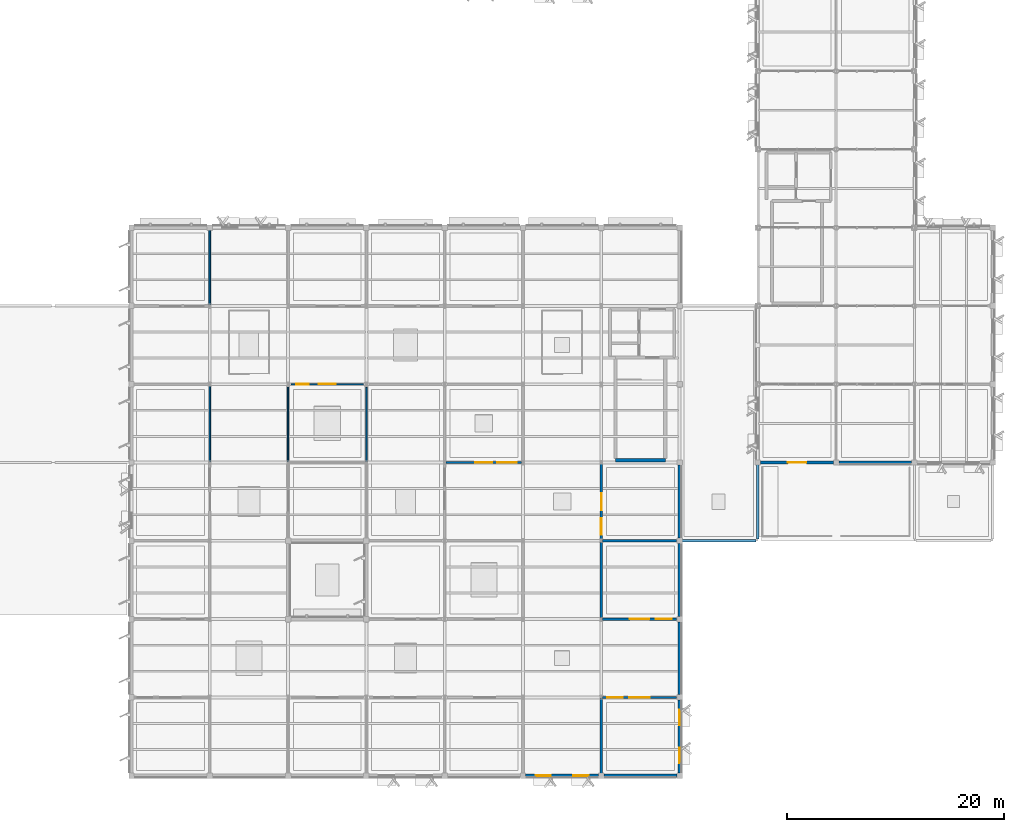
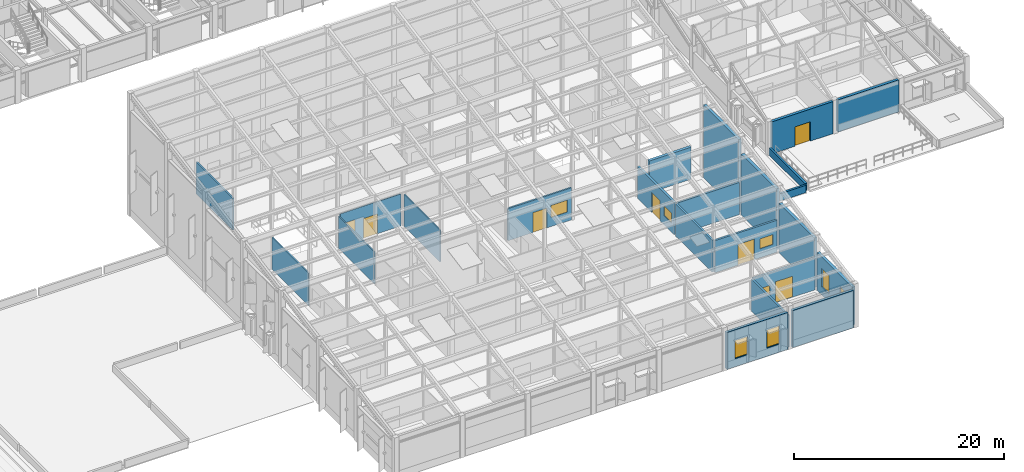
# One storey, part 34 of 82: 23 walls, 9 windows, 6 doors, 15 openings.
"""IFC4 building model written with IfcOpenShell, lengths in metres."""

from ifc_helpers import new_model, si_unit, direction, frame, frame_2d, origin, place, context, subcontext, project, spatial, rectangle, extrude, material, layer, layer_set, type_object, element, fill, save


model = new_model("IFC4")

# Units and contexts
model_context = context("Model", 3, precision=1e-05, world=origin(), true_north=direction((0.0, 1.0)))
body_context = subcontext(model_context, "Body", "Model", "MODEL_VIEW")
ifc_project = project(units=[si_unit("LENGTHUNIT", "METRE"), si_unit("AREAUNIT", "SQUARE_METRE"), si_unit("VOLUMEUNIT", "CUBIC_METRE"), si_unit("PLANEANGLEUNIT", "RADIAN"), si_unit("MASSUNIT", "GRAM", prefix="KILO")], contexts=[model_context])

# Site, building, storey
site_placement = place(None, origin())
site = spatial("IfcSite", under=ifc_project, at=site_placement, CompositionType="ELEMENT")
building_placement = place(site_placement, origin())
building = spatial("IfcBuilding", under=site, at=building_placement, Name="Sillqori Civic Hall", CompositionType="ELEMENT")
storey_placement = place(building_placement, frame((0.0, 0.0, 14.10009765625)))
storey = spatial("IfcBuildingStorey", under=building, at=storey_placement, Name="L04", CompositionType="ELEMENT", Elevation=14.10009765625)

# Wall
ifc_material_1 = material(Name="Concrete C35/45 (H35)", Category="concrete")
ifc_layer_1 = layer(ifc_material_1, 0.300048828125)
ifc_layer_set_1 = layer_set([ifc_layer_1], Name="Concrete C35/45 (H35)")
wall_type_1 = type_object("IfcWallType", Name="CW-SHR-300", PredefinedType="SHEAR", material=ifc_layer_set_1)
wall_1_placement = place(storey_placement, frame((109.31005859375, 36.199951171875, 0.0), z_axis=(0.0, 0.0, 1.0), x_axis=(1.0, 0.0, 0.0)))
element("IfcWall", 1, at=wall_1_placement, inside=storey, type_object=wall_type_1, Name="L04 C3 Stair south shear wall", PredefinedType="SHEAR", context=body_context, shape_type="SweptSolid", body=[
    extrude(rectangle(XDim=4.579833984375, YDim=0.300048828125, at=frame_2d((2.2900390625, 0.0))), origin(), (0.0, 0.0, 1.0), 3.719970703125),
])

# Wall, opening, door
ifc_material_2 = material(Name="Precast concrete C40/50 (H40)", Category="concrete")
ifc_layer_2 = layer(ifc_material_2, 0.300048828125)
ifc_layer_set_2 = layer_set([ifc_layer_2], Name="Precast concrete C40/50 (H40)")
wall_type_2 = type_object("IfcWallType", Name="EW-LIME-300", PredefinedType="SOLIDWALL", material=ifc_layer_set_2)
wall_2_placement = place(storey_placement, frame((129.35009765625, 36.0, 0.0), z_axis=(0.0, 0.0, 1.0), x_axis=(-1.0, 0.0, 0.0)))
wall_2 = element("IfcWall", 2, at=wall_2_placement, inside=storey, type_object=wall_type_2, Name="L04 V3 exterior wall L04-17-05-S", PredefinedType="SOLIDWALL", context=body_context, shape_type="SweptSolid", body=[
    extrude(rectangle(XDim=6.7001953125, YDim=0.300048828125, at=frame_2d((3.35009765625, 0.0))), origin(), (0.0, 0.0, 1.0), 3.719970703125),
])
opening_1_placement = place(wall_2_placement, frame((2.5, 0.0, 0.0)))
opening_1 = element("IfcOpeningElement", 3, at=opening_1_placement, cuts=wall_2, Name="Opening ED-07", PredefinedType="OPENING", context=body_context, shape_type="SweptSolid", body=[
    extrude(rectangle(XDim=1.699951171875, YDim=2.25, at=frame_2d((0.85009765625, 1.125))), frame((0.0, 0.159912109375, 0.0), z_axis=(0.0, -1.0, 0.0), x_axis=(1.0, 0.0, 0.0)), (0.0, 0.0, 1.0), 0.320068359375),
])
ifc_material_3 = material(Name="Thermally Broken Anodized Aluminium and Laminated Glass", Category="aluminium")
door_type_1 = type_object("IfcDoorType", Name="EDR-TERR-170X225", OperationType="NOTDEFINED", PredefinedType="DOOR", material=ifc_material_3)
door_1_placement = place(opening_1_placement, origin())
door_1 = element("IfcDoor", 4, at=door_1_placement, inside=storey, type_object=door_type_1, Name="Archive Clerestory Terrace Access Door", OperationType="DOUBLE_DOOR_SINGLE_SWING", OverallHeight=2.25, OverallWidth=1.699951171875, PredefinedType="DOOR", context=body_context, shape_type="SweptSolid", body=[
    extrude(rectangle(XDim=1.699951171875, YDim=2.25, at=frame_2d((0.85009765625, 1.125))), frame((0.0, 0.02490234375, 0.0), z_axis=(0.0, -1.0, 0.0), x_axis=(1.0, 0.0, 0.0)), (0.0, 0.0, 1.0), 0.050048828125),
])
fill(opening_1, door_1)

# Wall
wall_3_placement = place(storey_placement, frame((136.550048828125, 36.0, 0.0), z_axis=(0.0, 0.0, 1.0), x_axis=(-1.0, 0.0, 0.0)))
element("IfcWall", 5, at=wall_3_placement, inside=storey, type_object=wall_type_2, Name="L04 V3 exterior wall L04-18-05-S", PredefinedType="SOLIDWALL", context=body_context, shape_type="SweptSolid", body=[
    extrude(rectangle(XDim=6.699951171875, YDim=0.300048828125, at=frame_2d((3.35009765625, 0.0))), origin(), (0.0, 0.0, 1.0), 3.719970703125),
])

# Wall, openings, windows
ifc_layer_3 = layer(ifc_material_2, 0.320068359375)
ifc_layer_set_3 = layer_set([ifc_layer_3], Name="Precast concrete C40/50 (H40)")
wall_type_3 = type_object("IfcWallType", Name="EW-LIME-320", PredefinedType="SOLIDWALL", material=ifc_layer_set_3)
wall_4_placement = place(storey_placement, frame((107.75, 7.199951171875, 0.0), z_axis=(0.0, 0.0, 1.0), x_axis=(-1.0, 0.0, 0.0)))
wall_4 = element("IfcWall", 6, at=wall_4_placement, inside=storey, type_object=wall_type_3, Name="L04 V2 exterior wall L04-14-01-S", PredefinedType="SOLIDWALL", context=body_context, shape_type="SweptSolid", body=[
    extrude(rectangle(XDim=6.699951171875, YDim=0.320068359375, at=frame_2d((3.35009765625, 0.0))), origin(), (0.0, 0.0, 1.0), 4.2919921875),
])
opening_2_placement = place(wall_4_placement, frame((0.907958984375, 0.0, 0.949951171875)))
opening_2 = element("IfcOpeningElement", 7, at=opening_2_placement, cuts=wall_4, Name="Opening W-03", PredefinedType="OPENING", context=body_context, shape_type="SweptSolid", body=[
    extrude(rectangle(XDim=1.39990234375, YDim=2.10009765625, at=frame_2d((0.699951171875, 1.050048828125))), frame((0.0, 0.169921875, 0.0), z_axis=(0.0, -1.0, 0.0), x_axis=(1.0, 0.0, 0.0)), (0.0, 0.0, 1.0), 0.340087890625),
])
opening_3_placement = place(wall_4_placement, frame((4.39208984375, 0.0, 0.949951171875)))
opening_3 = element("IfcOpeningElement", 8, at=opening_3_placement, cuts=wall_4, Name="Opening W-03", PredefinedType="OPENING", context=body_context, shape_type="SweptSolid", body=[
    extrude(rectangle(XDim=1.39990234375, YDim=2.10009765625, at=frame_2d((0.699951171875, 1.050048828125))), frame((0.0, 0.169921875, 0.0), z_axis=(0.0, -1.0, 0.0), x_axis=(1.0, 0.0, 0.0)), (0.0, 0.0, 1.0), 0.340087890625),
])
ifc_material_4 = material(Name="Thermally Broken Aluminium Low-E Window", Category="aluminium")
window_type_1 = type_object("IfcWindowType", Name="WIN-V2-140X210", PartitioningType="SINGLE_PANEL", PredefinedType="WINDOW", material=ifc_material_4)
window_1_placement = place(opening_2_placement, origin())
window_1 = element("IfcWindow", 9, at=window_1_placement, inside=storey, type_object=window_type_1, Name="L04 V2 window L04-14-01-S.1", OverallHeight=2.10009765625, OverallWidth=1.39990234375, PartitioningType="SINGLE_PANEL", PredefinedType="WINDOW", context=body_context, shape_type="SweptSolid", body=[
    extrude(rectangle(XDim=1.39990234375, YDim=2.10009765625, at=frame_2d((0.699951171875, 1.050048828125))), frame((0.0, 0.030029296875, 0.0), z_axis=(0.0, -1.0, 0.0), x_axis=(1.0, 0.0, 0.0)), (0.0, 0.0, 1.0), 0.06005859375),
])
fill(opening_2, window_1)
window_2_placement = place(opening_3_placement, origin())
window_2 = element("IfcWindow", 10, at=window_2_placement, inside=storey, type_object=window_type_1, Name="L04 V2 window L04-14-01-S.2", OverallHeight=2.10009765625, OverallWidth=1.39990234375, PartitioningType="SINGLE_PANEL", PredefinedType="WINDOW", context=body_context, shape_type="SweptSolid", body=[
    extrude(rectangle(XDim=1.39990234375, YDim=2.10009765625, at=frame_2d((0.699951171875, 1.050048828125))), frame((0.0, 0.030029296875, 0.0), z_axis=(0.0, -1.0, 0.0), x_axis=(1.0, 0.0, 0.0)), (0.0, 0.0, 1.0), 0.06005859375),
])
fill(opening_3, window_2)

# Wall
wall_5_placement = place(storey_placement, frame((114.949951171875, 7.199951171875, 0.0), z_axis=(0.0, 0.0, 1.0), x_axis=(-1.0, 0.0, 0.0)))
element("IfcWall", 11, at=wall_5_placement, inside=storey, type_object=wall_type_3, Name="L04 V2 exterior wall L04-15-01-S", PredefinedType="SOLIDWALL", context=body_context, shape_type="SweptSolid", body=[
    extrude(rectangle(XDim=6.699951171875, YDim=0.320068359375, at=frame_2d((3.35009765625, 0.0))), origin(), (0.0, 0.0, 1.0), 4.320556640625),
])

# Wall, openings, windows
wall_6_placement = place(storey_placement, frame((115.199951171875, 14.14990234375, 0.0), z_axis=(0.0, 0.0, 1.0), x_axis=(0.0, -1.0, 0.0)))
wall_6 = element("IfcWall", 12, at=wall_6_placement, inside=storey, type_object=wall_type_3, Name="L04 V2 exterior wall L04-15-01-E", PredefinedType="SOLIDWALL", context=body_context, shape_type="SweptSolid", body=[
    extrude(rectangle(XDim=6.699951171875, YDim=0.320068359375, at=frame_2d((3.35009765625, 0.0))), origin(), (0.0, 0.0, 1.0), 4.393310546875),
])
opening_4_placement = place(wall_6_placement, frame((0.907958984375, 0.0, 0.949951171875)))
opening_4 = element("IfcOpeningElement", 13, at=opening_4_placement, cuts=wall_6, Name="Opening W-03", PredefinedType="OPENING", context=body_context, shape_type="SweptSolid", body=[
    extrude(rectangle(XDim=1.39990234375, YDim=2.10009765625, at=frame_2d((0.699951171875, 1.050048828125))), frame((0.0, 0.169921875, 0.0), z_axis=(0.0, -1.0, 0.0), x_axis=(1.0, 0.0, 0.0)), (0.0, 0.0, 1.0), 0.340087890625),
])
opening_5_placement = place(wall_6_placement, frame((4.39208984375, 0.0, 0.949951171875)))
opening_5 = element("IfcOpeningElement", 14, at=opening_5_placement, cuts=wall_6, Name="Opening W-03", PredefinedType="OPENING", context=body_context, shape_type="SweptSolid", body=[
    extrude(rectangle(XDim=1.39990234375, YDim=2.10009765625, at=frame_2d((0.699951171875, 1.050048828125))), frame((0.0, 0.169921875, 0.0), z_axis=(0.0, -1.0, 0.0), x_axis=(1.0, 0.0, 0.0)), (0.0, 0.0, 1.0), 0.340087890625),
])
window_3_placement = place(opening_4_placement, origin())
window_3 = element("IfcWindow", 15, at=window_3_placement, inside=storey, type_object=window_type_1, Name="L04 V2 window L04-15-01-E.1", OverallHeight=2.10009765625, OverallWidth=1.39990234375, PartitioningType="SINGLE_PANEL", PredefinedType="WINDOW", context=body_context, shape_type="SweptSolid", body=[
    extrude(rectangle(XDim=1.39990234375, YDim=2.10009765625, at=frame_2d((0.699951171875, 1.050048828125))), frame((0.0, 0.030029296875, 0.0), z_axis=(0.0, -1.0, 0.0), x_axis=(1.0, 0.0, 0.0)), (0.0, 0.0, 1.0), 0.06005859375),
])
fill(opening_4, window_3)
window_4_placement = place(opening_5_placement, origin())
window_4 = element("IfcWindow", 16, at=window_4_placement, inside=storey, type_object=window_type_1, Name="L04 V2 window L04-15-01-E.2", OverallHeight=2.10009765625, OverallWidth=1.39990234375, PartitioningType="SINGLE_PANEL", PredefinedType="WINDOW", context=body_context, shape_type="SweptSolid", body=[
    extrude(rectangle(XDim=1.39990234375, YDim=2.10009765625, at=frame_2d((0.699951171875, 1.050048828125))), frame((0.0, 0.030029296875, 0.0), z_axis=(0.0, -1.0, 0.0), x_axis=(1.0, 0.0, 0.0)), (0.0, 0.0, 1.0), 0.06005859375),
])
fill(opening_5, window_4)

# Walls
wall_7_placement = place(storey_placement, frame((115.199951171875, 21.35009765625, 0.0), z_axis=(0.0, 0.0, 1.0), x_axis=(0.0, -1.0, 0.0)))
element("IfcWall", 17, at=wall_7_placement, inside=storey, type_object=wall_type_3, Name="L04 V2 exterior wall L04-15-02-E", PredefinedType="SOLIDWALL", context=body_context, shape_type="SweptSolid", body=[
    extrude(rectangle(XDim=6.7001953125, YDim=0.320068359375, at=frame_2d((3.35009765625, 0.0))), origin(), (0.0, 0.0, 1.0), 5.736083984375),
])
wall_8_placement = place(storey_placement, frame((115.199951171875, 28.550048828125, 0.0), z_axis=(0.0, 0.0, 1.0), x_axis=(0.0, -1.0, 0.0)))
element("IfcWall", 18, at=wall_8_placement, inside=storey, type_object=wall_type_3, Name="L04 V2 exterior wall L04-15-03-E", PredefinedType="SOLIDWALL", context=body_context, shape_type="SweptSolid", body=[
    extrude(rectangle(XDim=6.699951171875, YDim=0.320068359375, at=frame_2d((3.35009765625, 0.0))), origin(), (0.0, 0.0, 1.0), 7.0791015625),
])
wall_9_placement = place(storey_placement, frame((115.199951171875, 35.75, 0.0), z_axis=(0.0, 0.0, 1.0), x_axis=(0.0, -1.0, 0.0)))
element("IfcWall", 19, at=wall_9_placement, inside=storey, type_object=wall_type_3, Name="L04 V2 exterior wall L04-15-04-E", PredefinedType="SOLIDWALL", context=body_context, shape_type="SweptSolid", body=[
    extrude(rectangle(XDim=6.699951171875, YDim=0.320068359375, at=frame_2d((3.35009765625, 0.0))), origin(), (0.0, 0.0, 1.0), 8.421875),
])

# Wall, openings, door, window
ifc_material_5 = material(Name="Acoustic Steel-Stud Partition 120", Category="steel")
ifc_layer_4 = layer(ifc_material_5, 0.1201171875)
ifc_layer_set_4 = layer_set([ifc_layer_4], Name="Acoustic Steel-Stud Partition 120")
wall_type_4 = type_object("IfcWallType", Name="PT-GYP-120", PredefinedType="PARTITIONING", material=ifc_layer_set_4)
wall_10_placement = place(storey_placement, frame((79.47998046875, 43.199951171875, 0.0), z_axis=(0.0, 0.0, 1.0), x_axis=(1.0, 0.0, 0.0)))
wall_10 = element("IfcWall", 20, at=wall_10_placement, inside=storey, type_object=wall_type_4, Name="Citizen Innovation and Open-Data Studio L04-07 partition N1", PredefinedType="PARTITIONING", context=body_context, shape_type="SweptSolid", body=[
    extrude(rectangle(XDim=6.64013671875, YDim=0.1201171875, at=frame_2d((3.320068359375, 0.0))), origin(), (0.0, 0.0, 1.0), 3.719970703125),
])
opening_6_placement = place(wall_10_placement, frame((2.544921875, 0.0, 0.0)))
opening_6 = element("IfcOpeningElement", 21, at=opening_6_placement, cuts=wall_10, Name="Opening ID-08", PredefinedType="OPENING", context=body_context, shape_type="SweptSolid", body=[
    extrude(rectangle(XDim=1.550048828125, YDim=2.300048828125, at=frame_2d((0.77490234375, 1.14990234375))), frame((0.0, 0.070068359375, 0.0), z_axis=(0.0, -1.0, 0.0), x_axis=(1.0, 0.0, 0.0)), (0.0, 0.0, 1.0), 0.14013671875),
])
opening_7_placement = place(wall_10_placement, frame((0.449951171875, 0.0, 1.050048828125)))
opening_7 = element("IfcOpeningElement", 22, at=opening_7_placement, cuts=wall_10, Name="Opening IW-46", PredefinedType="OPENING", context=body_context, shape_type="SweptSolid", body=[
    extrude(rectangle(XDim=1.179931640625, YDim=1.43994140625, at=frame_2d((0.58984375, 0.719970703125))), frame((0.0, 0.070068359375, 0.0), z_axis=(0.0, -1.0, 0.0), x_axis=(1.0, 0.0, 0.0)), (0.0, 0.0, 1.0), 0.14013671875),
])
ifc_material_6 = material(Name="Community Room Double Leaf Door", Category="timber")
door_type_2 = type_object("IfcDoorType", Name="IDR-CMY-155X230", OperationType="NOTDEFINED", PredefinedType="DOOR", material=ifc_material_6)
door_2_placement = place(opening_6_placement, origin())
door_2 = element("IfcDoor", 23, at=door_2_placement, inside=storey, type_object=door_type_2, Name="Citizen Innovation and Open-Data Studio L04-07 entrance door", OperationType="DOUBLE_DOOR_SINGLE_SWING", OverallHeight=2.300048828125, OverallWidth=1.550048828125, PredefinedType="DOOR", context=body_context, shape_type="SweptSolid", body=[
    extrude(rectangle(XDim=1.550048828125, YDim=2.300048828125, at=frame_2d((0.77490234375, 1.14990234375))), frame((0.0, 0.02490234375, 0.0), z_axis=(0.0, -1.0, 0.0), x_axis=(1.0, 0.0, 0.0)), (0.0, 0.0, 1.0), 0.050048828125),
])
fill(opening_6, door_2)
ifc_material_7 = material(Name="Acoustic Laminated Interior Clerestory Glazing", Category="glass")
window_type_2 = type_object("IfcWindowType", Name="IWN-GAL-118X144", PartitioningType="SINGLE_PANEL", PredefinedType="WINDOW", material=ifc_material_7)
window_5_placement = place(opening_7_placement, origin())
window_5 = element("IfcWindow", 24, at=window_5_placement, inside=storey, type_object=window_type_2, Name="Citizen Innovation and Open-Data Studio L04-07 borrowed-light screen", OverallHeight=1.43994140625, OverallWidth=1.179931640625, PartitioningType="SINGLE_PANEL", PredefinedType="WINDOW", context=body_context, shape_type="SweptSolid", body=[
    extrude(rectangle(XDim=1.179931640625, YDim=1.43994140625, at=frame_2d((0.58984375, 0.719970703125))), frame((0.0, 0.030029296875, 0.0), z_axis=(0.0, -1.0, 0.0), x_axis=(1.0, 0.0, 0.0)), (0.0, 0.0, 1.0), 0.06005859375),
])
fill(opening_7, window_5)

# Walls
for number, where, z_axis, x_axis, name in (
    (25, (79.199951171875, 36.1201171875, 0.0), (0.0, 0.0, 1.0), (0.0, 1.0, 0.0), "Citizen Innovation and Open-Data Studio L04-07 partition W3"),
    (26, (86.39990234375, 42.919921875, 0.0), (0.0, 0.0, 1.0), (0.0, -1.0, 0.0), "Citizen Innovation and Open-Data Studio L04-07 partition E4"),
):
    element("IfcWall", number, at=place(storey_placement, frame(where, z_axis=z_axis, x_axis=x_axis)), inside=storey, type_object=wall_type_4, Name=name, PredefinedType="PARTITIONING", context=body_context, shape_type="SweptSolid", body=[
        extrude(rectangle(XDim=6.7998046875, YDim=0.1201171875, at=frame_2d((3.39990234375, 0.0))), origin(), (0.0, 0.0, 1.0), 3.719970703125),
    ])

# Wall, openings, door, window
ifc_material_8 = material(Name="Concrete C25/30 (H25)", Category="concrete")
ifc_layer_5 = layer(ifc_material_8, 0.172119140625)
ifc_layer_set_5 = layer_set([ifc_layer_5], Name="Concrete C25/30 (H25)")
wall_type_5 = type_object("IfcWallType", Name="PT-MAS-172", PredefinedType="PARTITIONING", material=ifc_layer_set_5)
wall_11_placement = place(storey_placement, frame((100.679931640625, 36.0, 0.0), z_axis=(0.0, 0.0, 1.0), x_axis=(-1.0, 0.0, 0.0)))
wall_11 = element("IfcWall", 27, at=wall_11_placement, inside=storey, type_object=wall_type_5, Name="Citizen Innovation and Open-Data Studio L04-15 partition S1", PredefinedType="PARTITIONING", context=body_context, shape_type="SweptSolid", body=[
    extrude(rectangle(XDim=6.9599609375, YDim=0.172119140625, at=frame_2d((3.47998046875, 0.0))), origin(), (0.0, 0.0, 1.0), 3.719970703125),
])
opening_8_placement = place(wall_11_placement, frame((2.705078125, 0.0, 0.0)))
opening_8 = element("IfcOpeningElement", 28, at=opening_8_placement, cuts=wall_11, Name="Opening ID-08", PredefinedType="OPENING", context=body_context, shape_type="SweptSolid", body=[
    extrude(rectangle(XDim=1.550048828125, YDim=2.300048828125, at=frame_2d((0.77490234375, 1.14990234375))), frame((0.0, 0.095947265625, 0.0), z_axis=(0.0, -1.0, 0.0), x_axis=(1.0, 0.0, 0.0)), (0.0, 0.0, 1.0), 0.192138671875),
])
opening_9_placement = place(wall_11_placement, frame((0.449951171875, 0.0, 1.050048828125)))
opening_9 = element("IfcOpeningElement", 29, at=opening_9_placement, cuts=wall_11, Name="Opening IW-04", PredefinedType="OPENING", context=body_context, shape_type="SweptSolid", body=[
    extrude(rectangle(XDim=1.800048828125, YDim=1.39990234375, at=frame_2d((0.89990234375, 0.699951171875))), frame((0.0, 0.095947265625, 0.0), z_axis=(0.0, -1.0, 0.0), x_axis=(1.0, 0.0, 0.0)), (0.0, 0.0, 1.0), 0.192138671875),
])
door_3_placement = place(opening_8_placement, origin())
door_3 = element("IfcDoor", 30, at=door_3_placement, inside=storey, type_object=door_type_2, Name="Citizen Innovation and Open-Data Studio L04-15 entrance door", OperationType="DOUBLE_DOOR_SINGLE_SWING", OverallHeight=2.300048828125, OverallWidth=1.550048828125, PredefinedType="DOOR", context=body_context, shape_type="SweptSolid", body=[
    extrude(rectangle(XDim=1.550048828125, YDim=2.300048828125, at=frame_2d((0.77490234375, 1.14990234375))), frame((0.0, 0.02490234375, 0.0), z_axis=(0.0, -1.0, 0.0), x_axis=(1.0, 0.0, 0.0)), (0.0, 0.0, 1.0), 0.050048828125),
])
fill(opening_8, door_3)
window_type_3 = type_object("IfcWindowType", Name="IWN-LIB-180X140", PartitioningType="SINGLE_PANEL", PredefinedType="WINDOW", material=ifc_material_7)
window_6_placement = place(opening_9_placement, origin())
window_6 = element("IfcWindow", 31, at=window_6_placement, inside=storey, type_object=window_type_3, Name="Citizen Innovation and Open-Data Studio L04-15 borrowed-light screen", OverallHeight=1.39990234375, OverallWidth=1.800048828125, PartitioningType="SINGLE_PANEL", PredefinedType="WINDOW", context=body_context, shape_type="SweptSolid", body=[
    extrude(rectangle(XDim=1.800048828125, YDim=1.39990234375, at=frame_2d((0.89990234375, 0.699951171875))), frame((0.0, 0.030029296875, 0.0), z_axis=(0.0, -1.0, 0.0), x_axis=(1.0, 0.0, 0.0)), (0.0, 0.0, 1.0), 0.06005859375),
])
fill(opening_9, window_6)

ifc_layer_6 = layer(ifc_material_8, 0.199951171875)
ifc_layer_set_6 = layer_set([ifc_layer_6], Name="Concrete C25/30 (H25)")
wall_type_6 = type_object("IfcWallType", Name="PT-MAS-200", PredefinedType="PARTITIONING", material=ifc_layer_set_6)
wall_12_placement = place(storey_placement, frame((108.1201171875, 14.39990234375, 0.0), z_axis=(0.0, 0.0, 1.0), x_axis=(1.0, 0.0, 0.0)))
wall_12 = element("IfcWall", 32, at=wall_12_placement, inside=storey, type_object=wall_type_6, Name="Wedge Sky-Lit Public Exhibition Hall L04-17 partition N1", PredefinedType="PARTITIONING", context=body_context, shape_type="SweptSolid", body=[
    extrude(rectangle(XDim=6.7998046875, YDim=0.199951171875, at=frame_2d((3.39990234375, 0.0))), origin(), (0.0, 0.0, 1.0), 3.719970703125),
])
opening_10_placement = place(wall_12_placement, frame((2.449951171875, 0.0, 0.0)))
opening_10 = element("IfcOpeningElement", 33, at=opening_10_placement, cuts=wall_12, Name="Opening ID-11", PredefinedType="OPENING", context=body_context, shape_type="SweptSolid", body=[
    extrude(rectangle(XDim=1.89990234375, YDim=2.449951171875, at=frame_2d((0.949951171875, 1.22509765625))), frame((0.0, 0.10986328125, 0.0), z_axis=(0.0, -1.0, 0.0), x_axis=(1.0, 0.0, 0.0)), (0.0, 0.0, 1.0), 0.219970703125),
])
opening_11_placement = place(wall_12_placement, frame((0.449951171875, 0.0, 1.050048828125)))
opening_11 = element("IfcOpeningElement", 34, at=opening_11_placement, cuts=wall_12, Name="Opening IW-08", PredefinedType="OPENING", context=body_context, shape_type="SweptSolid", body=[
    extrude(rectangle(XDim=1.39990234375, YDim=1.199951171875, at=frame_2d((0.699951171875, 0.60009765625))), frame((0.0, 0.10986328125, 0.0), z_axis=(0.0, -1.0, 0.0), x_axis=(1.0, 0.0, 0.0)), (0.0, 0.0, 1.0), 0.219970703125),
])
ifc_material_9 = material(Name="Exhibition Gallery Portal Door", Category="aluminium")
door_type_3 = type_object("IfcDoorType", Name="IDR-EXH-190X245", OperationType="NOTDEFINED", PredefinedType="DOOR", material=ifc_material_9)
door_4_placement = place(opening_10_placement, origin())
door_4 = element("IfcDoor", 35, at=door_4_placement, inside=storey, type_object=door_type_3, Name="Wedge Sky-Lit Public Exhibition Hall L04-17 entrance door", OperationType="DOUBLE_DOOR_SINGLE_SWING", OverallHeight=2.449951171875, OverallWidth=1.89990234375, PredefinedType="DOOR", context=body_context, shape_type="SweptSolid", body=[
    extrude(rectangle(XDim=1.89990234375, YDim=2.449951171875, at=frame_2d((0.949951171875, 1.22509765625))), frame((0.0, 0.02490234375, 0.0), z_axis=(0.0, -1.0, 0.0), x_axis=(1.0, 0.0, 0.0)), (0.0, 0.0, 1.0), 0.050048828125),
])
fill(opening_10, door_4)
window_type_4 = type_object("IfcWindowType", Name="IWN-STU-140X120", PartitioningType="SINGLE_PANEL", PredefinedType="WINDOW", material=ifc_material_7)
window_7_placement = place(opening_11_placement, origin())
window_7 = element("IfcWindow", 36, at=window_7_placement, inside=storey, type_object=window_type_4, Name="Wedge Sky-Lit Public Exhibition Hall L04-17 borrowed-light screen", OverallHeight=1.199951171875, OverallWidth=1.39990234375, PartitioningType="SINGLE_PANEL", PredefinedType="WINDOW", context=body_context, shape_type="SweptSolid", body=[
    extrude(rectangle(XDim=1.39990234375, YDim=1.199951171875, at=frame_2d((0.699951171875, 0.60009765625))), frame((0.0, 0.030029296875, 0.0), z_axis=(0.0, -1.0, 0.0), x_axis=(1.0, 0.0, 0.0)), (0.0, 0.0, 1.0), 0.06005859375),
])
fill(opening_11, window_7)

# Wall
wall_13_placement = place(storey_placement, frame((108.0, 7.320068359375, 0.0), z_axis=(0.0, 0.0, 1.0), x_axis=(0.0, 1.0, 0.0)))
element("IfcWall", 37, at=wall_13_placement, inside=storey, type_object=wall_type_6, Name="Wedge Sky-Lit Public Exhibition Hall L04-17 partition W2", PredefinedType="PARTITIONING", context=body_context, shape_type="SweptSolid", body=[
    extrude(rectangle(XDim=6.9599609375, YDim=0.199951171875, at=frame_2d((3.47998046875, 0.0))), origin(), (0.0, 0.0, 1.0), 3.719970703125),
])

# Wall, openings, door, window
ifc_layer_7 = layer(ifc_material_8, 0.2119140625)
ifc_layer_set_7 = layer_set([ifc_layer_7], Name="Concrete C25/30 (H25)")
wall_type_7 = type_object("IfcWallType", Name="PT-MAS-212", PredefinedType="PARTITIONING", material=ifc_layer_set_7)
wall_14_placement = place(storey_placement, frame((114.919921875, 21.60009765625, 0.0), z_axis=(0.0, 0.0, 1.0), x_axis=(-1.0, 0.0, 0.0)))
wall_14 = element("IfcWall", 38, at=wall_14_placement, inside=storey, type_object=wall_type_7, Name="Metropolitan Regional Assembly Forum L04-18 partition S1", PredefinedType="PARTITIONING", context=body_context, shape_type="SweptSolid", body=[
    extrude(rectangle(XDim=6.7998046875, YDim=0.2119140625, at=frame_2d((3.39990234375, 0.0))), origin(), (0.0, 0.0, 1.0), 3.719970703125),
])
opening_12_placement = place(wall_14_placement, frame((2.5, 0.0, 0.0)))
opening_12 = element("IfcOpeningElement", 39, at=opening_12_placement, cuts=wall_14, Name="Opening ID-03", PredefinedType="OPENING", context=body_context, shape_type="SweptSolid", body=[
    extrude(rectangle(XDim=1.800048828125, YDim=2.39990234375, at=frame_2d((0.89990234375, 1.199951171875))), frame((0.0, 0.115966796875, 0.0), z_axis=(0.0, -1.0, 0.0), x_axis=(1.0, 0.0, 0.0)), (0.0, 0.0, 1.0), 0.23193359375),
])
opening_13_placement = place(wall_14_placement, frame((0.449951171875, 0.0, 1.050048828125)))
opening_13 = element("IfcOpeningElement", 40, at=opening_13_placement, cuts=wall_14, Name="Opening IW-09", PredefinedType="OPENING", context=body_context, shape_type="SweptSolid", body=[
    extrude(rectangle(XDim=1.449951171875, YDim=1.14990234375, at=frame_2d((0.72509765625, 0.574951171875))), frame((0.0, 0.115966796875, 0.0), z_axis=(0.0, -1.0, 0.0), x_axis=(1.0, 0.0, 0.0)), (0.0, 0.0, 1.0), 0.23193359375),
])
ifc_material_10 = material(Name="Committee Hearing Double Door", Category="timber")
door_type_4 = type_object("IfcDoorType", Name="IDR-COM-180X240", OperationType="NOTDEFINED", PredefinedType="DOOR", material=ifc_material_10)
door_5_placement = place(opening_12_placement, origin())
door_5 = element("IfcDoor", 41, at=door_5_placement, inside=storey, type_object=door_type_4, Name="Metropolitan Regional Assembly Forum L04-18 entrance door", OperationType="DOUBLE_DOOR_SINGLE_SWING", OverallHeight=2.39990234375, OverallWidth=1.800048828125, PredefinedType="DOOR", context=body_context, shape_type="SweptSolid", body=[
    extrude(rectangle(XDim=1.800048828125, YDim=2.39990234375, at=frame_2d((0.89990234375, 1.199951171875))), frame((0.0, 0.02490234375, 0.0), z_axis=(0.0, -1.0, 0.0), x_axis=(1.0, 0.0, 0.0)), (0.0, 0.0, 1.0), 0.050048828125),
])
fill(opening_12, door_5)
window_type_5 = type_object("IfcWindowType", Name="IWN-STU-145X115", PartitioningType="SINGLE_PANEL", PredefinedType="WINDOW", material=ifc_material_7)
window_8_placement = place(opening_13_placement, origin())
window_8 = element("IfcWindow", 42, at=window_8_placement, inside=storey, type_object=window_type_5, Name="Metropolitan Regional Assembly Forum L04-18 borrowed-light screen", OverallHeight=1.14990234375, OverallWidth=1.449951171875, PartitioningType="SINGLE_PANEL", PredefinedType="WINDOW", context=body_context, shape_type="SweptSolid", body=[
    extrude(rectangle(XDim=1.449951171875, YDim=1.14990234375, at=frame_2d((0.72509765625, 0.574951171875))), frame((0.0, 0.030029296875, 0.0), z_axis=(0.0, -1.0, 0.0), x_axis=(1.0, 0.0, 0.0)), (0.0, 0.0, 1.0), 0.06005859375),
])
fill(opening_13, window_8)

# Walls
wall_15_placement = place(storey_placement, frame((108.1201171875, 28.800048828125, 0.0), z_axis=(0.0, 0.0, 1.0), x_axis=(1.0, 0.0, 0.0)))
element("IfcWall", 43, at=wall_15_placement, inside=storey, type_object=wall_type_7, Name="Metropolitan Regional Assembly Forum L04-18 partition N2", PredefinedType="PARTITIONING", context=body_context, shape_type="SweptSolid", body=[
    extrude(rectangle(XDim=6.7998046875, YDim=0.2119140625, at=frame_2d((3.39990234375, 0.0))), origin(), (0.0, 0.0, 1.0), 3.719970703125),
])
wall_16_placement = place(storey_placement, frame((108.0, 21.719970703125, 0.0), z_axis=(0.0, 0.0, 1.0), x_axis=(0.0, 1.0, 0.0)))
element("IfcWall", 44, at=wall_16_placement, inside=storey, type_object=wall_type_7, Name="Metropolitan Regional Assembly Forum L04-18 partition W3", PredefinedType="PARTITIONING", context=body_context, shape_type="SweptSolid", body=[
    extrude(rectangle(XDim=6.9599609375, YDim=0.2119140625, at=frame_2d((3.47998046875, 0.0))), origin(), (0.0, 0.0, 1.0), 3.719970703125),
])

# Wall, openings, door, window
ifc_layer_8 = layer(ifc_material_8, 0.22802734375)
ifc_layer_set_8 = layer_set([ifc_layer_8], Name="Concrete C25/30 (H25)")
wall_type_8 = type_object("IfcWallType", Name="PT-MAS-228", PredefinedType="PARTITIONING", material=ifc_layer_set_8)
wall_17_placement = place(storey_placement, frame((108.0, 28.919921875, 0.0), z_axis=(0.0, 0.0, 1.0), x_axis=(0.0, 1.0, 0.0)))
wall_17 = element("IfcWall", 45, at=wall_17_placement, inside=storey, type_object=wall_type_8, Name="Citizen Innovation and Open-Data Studio L04-19 partition W1", PredefinedType="PARTITIONING", context=body_context, shape_type="SweptSolid", body=[
    extrude(rectangle(XDim=6.9599609375, YDim=0.22802734375, at=frame_2d((3.47998046875, 0.0))), origin(), (0.0, 0.0, 1.0), 3.719970703125),
])
opening_14_placement = place(wall_17_placement, frame((2.705078125, 0.0, 0.0)))
opening_14 = element("IfcOpeningElement", 46, at=opening_14_placement, cuts=wall_17, Name="Opening ID-08", PredefinedType="OPENING", context=body_context, shape_type="SweptSolid", body=[
    extrude(rectangle(XDim=1.550048828125, YDim=2.300048828125, at=frame_2d((0.77490234375, 1.14990234375))), frame((0.0, 0.1240234375, 0.0), z_axis=(0.0, -1.0, 0.0), x_axis=(1.0, 0.0, 0.0)), (0.0, 0.0, 1.0), 0.248046875),
])
opening_15_placement = place(wall_17_placement, frame((0.449951171875, 0.0, 1.050048828125)))
opening_15 = element("IfcOpeningElement", 47, at=opening_15_placement, cuts=wall_17, Name="Opening IW-10", PredefinedType="OPENING", context=body_context, shape_type="SweptSolid", body=[
    extrude(rectangle(XDim=1.5, YDim=1.14990234375, at=frame_2d((0.75, 0.574951171875))), frame((0.0, 0.1240234375, 0.0), z_axis=(0.0, -1.0, 0.0), x_axis=(1.0, 0.0, 0.0)), (0.0, 0.0, 1.0), 0.248046875),
])
door_6_placement = place(opening_14_placement, origin())
door_6 = element("IfcDoor", 48, at=door_6_placement, inside=storey, type_object=door_type_2, Name="Citizen Innovation and Open-Data Studio L04-19 entrance door", OperationType="DOUBLE_DOOR_SINGLE_SWING", OverallHeight=2.300048828125, OverallWidth=1.550048828125, PredefinedType="DOOR", context=body_context, shape_type="SweptSolid", body=[
    extrude(rectangle(XDim=1.550048828125, YDim=2.300048828125, at=frame_2d((0.77490234375, 1.14990234375))), frame((0.0, 0.02490234375, 0.0), z_axis=(0.0, -1.0, 0.0), x_axis=(1.0, 0.0, 0.0)), (0.0, 0.0, 1.0), 0.050048828125),
])
fill(opening_14, door_6)
window_type_6 = type_object("IfcWindowType", Name="IWN-STU-150X115", PartitioningType="SINGLE_PANEL", PredefinedType="WINDOW", material=ifc_material_7)
window_9_placement = place(opening_15_placement, origin())
window_9 = element("IfcWindow", 49, at=window_9_placement, inside=storey, type_object=window_type_6, Name="Citizen Innovation and Open-Data Studio L04-19 borrowed-light screen", OverallHeight=1.14990234375, OverallWidth=1.5, PartitioningType="SINGLE_PANEL", PredefinedType="WINDOW", context=body_context, shape_type="SweptSolid", body=[
    extrude(rectangle(XDim=1.5, YDim=1.14990234375, at=frame_2d((0.75, 0.574951171875))), frame((0.0, 0.030029296875, 0.0), z_axis=(0.0, -1.0, 0.0), x_axis=(1.0, 0.0, 0.0)), (0.0, 0.0, 1.0), 0.06005859375),
])
fill(opening_15, window_9)

# Walls
ifc_material_11 = material(Name="Limestone-Veneer Ceremonial Wall 168", Category="masonry")
ifc_layer_9 = layer(ifc_material_11, 0.16796875)
ifc_layer_set_9 = layer_set([ifc_layer_9], Name="Limestone-Veneer Ceremonial Wall 168")
wall_type_9 = type_object("IfcWallType", Name="PT-STN-168", PredefinedType="PARTITIONING", material=ifc_layer_set_9)
wall_18_placement = place(storey_placement, frame((72.0, 57.47998046875, 0.0), z_axis=(0.0, 0.0, 1.0), x_axis=(0.0, -1.0, 0.0)))
element("IfcWall", 50, at=wall_18_placement, inside=storey, type_object=wall_type_9, Name="Civic Architecture Model Gallery partition E2", PredefinedType="PARTITIONING", context=body_context, shape_type="SweptSolid", body=[
    extrude(rectangle(XDim=6.9599609375, YDim=0.16796875, at=frame_2d((3.47998046875, 0.0))), origin(), (0.0, 0.0, 1.0), 3.719970703125),
])
ifc_material_12 = material(Name="Andean Cedar Slatted Acoustic Wall 132", Category="timber")
ifc_layer_10 = layer(ifc_material_12, 0.132080078125)
ifc_layer_set_10 = layer_set([ifc_layer_10], Name="Andean Cedar Slatted Acoustic Wall 132")
wall_type_10 = type_object("IfcWallType", Name="PT-TIM-132", PredefinedType="PARTITIONING", material=ifc_layer_set_10)
wall_19_placement = place(storey_placement, frame((72.0, 43.080078125, 0.0), z_axis=(0.0, 0.0, 1.0), x_axis=(0.0, -1.0, 0.0)))
element("IfcWall", 51, at=wall_19_placement, inside=storey, type_object=wall_type_10, Name="Citizen Innovation and Open-Data Studio partition E2", PredefinedType="PARTITIONING", context=body_context, shape_type="SweptSolid", body=[
    extrude(rectangle(XDim=6.9599609375, YDim=0.132080078125, at=frame_2d((3.47998046875, 0.0))), origin(), (0.0, 0.0, 1.0), 3.719970703125),
])
ifc_layer_11 = layer(ifc_material_2, 0.219970703125)
ifc_layer_set_11 = layer_set([ifc_layer_11], Name="Precast concrete C40/50 (H40)")
wall_type_11 = type_object("IfcWallType", Name="WP-PAR-220", PredefinedType="PARAPET", material=ifc_layer_set_11)
wall_20_placement = place(storey_placement, frame((122.39990234375, 35.85009765625, 0.0), z_axis=(0.0, 0.0, 1.0), x_axis=(0.0, -1.0, 0.0)))
element("IfcWall", 52, at=wall_20_placement, inside=storey, type_object=wall_type_11, Name="L04 roof parapet 06", PredefinedType="PARAPET", context=body_context, shape_type="SweptSolid", body=[
    extrude(rectangle(XDim=6.900146484375, YDim=0.219970703125, at=frame_2d((3.4501953125, 0.0))), origin(), (0.0, 0.0, 1.0), 0.849853515625),
])
wall_21_placement = place(storey_placement, frame((122.25, 28.800048828125, 0.0), z_axis=(0.0, 0.0, 1.0), x_axis=(-1.0, 0.0, 0.0)))
element("IfcWall", 53, at=wall_21_placement, inside=storey, type_object=wall_type_11, Name="L04 roof parapet 07", PredefinedType="PARAPET", context=body_context, shape_type="SweptSolid", body=[
    extrude(rectangle(XDim=6.89990234375, YDim=0.219970703125, at=frame_2d((3.449951171875, 0.0))), origin(), (0.0, 0.0, 1.0), 0.849853515625),
])

save(model, "model.ifc")
